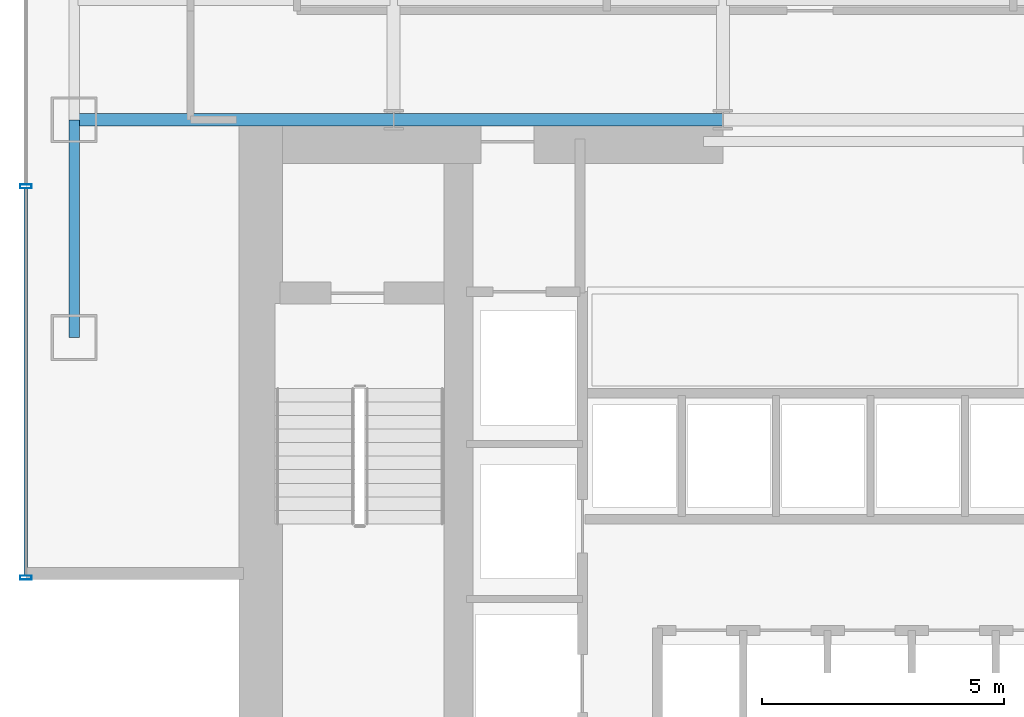
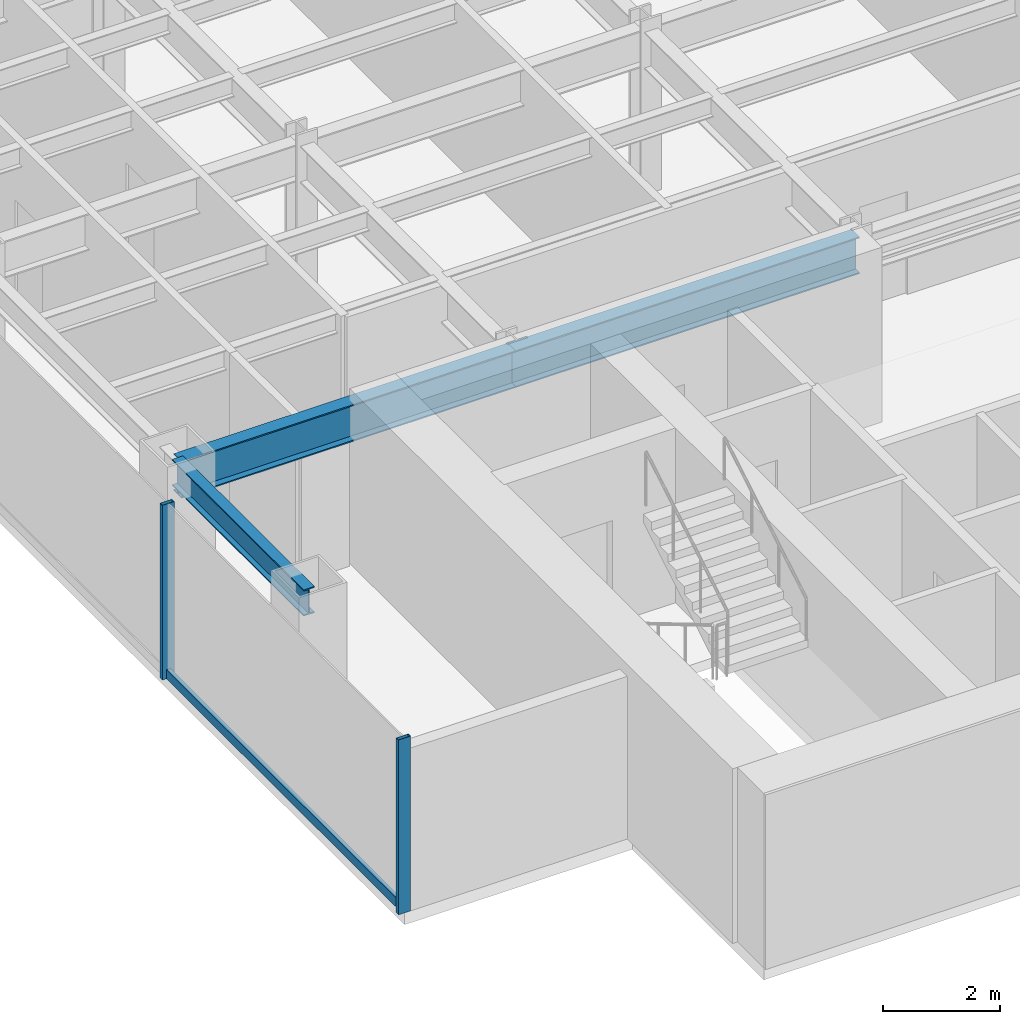
# One storey, part 2 of 23: 3 beams, 3 members, 1 element without a shape of its own.
"""IFC4 building model written with IfcOpenShell, lengths in metres."""

from ifc_helpers import new_model, si_unit, derived_unit, direction, frame, origin, origin_2d, place, context, subcontext, project, spatial, hollow_rectangle, i_section, extrude, source, transform, mapped, material, material_profile, profile_set, type_object, element, aggregate, save


model = new_model("IFC4")

# Units and contexts
model_context = context("Model", 3, precision=1e-05, world=origin(), true_north=direction((0.0, 1.0)))
body_context = subcontext(model_context, "Body", "Model", "MODEL_VIEW")
ifc_project = project(units=[si_unit("LENGTHUNIT", "METRE"), si_unit("AREAUNIT", "SQUARE_METRE"), si_unit("VOLUMEUNIT", "CUBIC_METRE"), si_unit("PLANEANGLEUNIT", "RADIAN"), si_unit("MASSUNIT", "GRAM", prefix="KILO"), derived_unit("THERMALTRANSMITTANCEUNIT", [(si_unit("POWERUNIT", "WATT"), 1), (si_unit("LENGTHUNIT", "METRE"), -2), (si_unit("THERMODYNAMICTEMPERATUREUNIT", "KELVIN"), -1)])], contexts=[model_context])

# Site, building, storey
site_placement = place(None, origin())
site = spatial("IfcSite", under=ifc_project, at=site_placement, CompositionType="ELEMENT")
building_placement = place(site_placement, origin())
building = spatial("IfcBuilding", under=site, at=building_placement, Name="Skarnbrae Concourse Arena and Tower", CompositionType="ELEMENT")
storey_placement = place(building_placement, frame((0.0, 0.0, 47.10009765625)))
storey = spatial("IfcBuildingStorey", under=building, at=storey_placement, Name="L10", CompositionType="ELEMENT", Elevation=47.10009765625)

# Beams
ifc_material_1 = material(Name="Steel CSA G40.21 350W", Category="steel")
ifc_material_profile_1 = material_profile(ifc_material_1, i_section(OverallWidth=0.26806640625, OverallDepth=0.77001953125, WebThickness=0.015625, FlangeThickness=0.025390625, at=origin_2d()), Name="W760X196")
ifc_profile_set_1 = profile_set([ifc_material_profile_1], Name="Steel CSA G40.21 350W")
beam_type_1 = type_object("IfcBeamType", Name="BM-GIRD-W760X196", PredefinedType="BEAM", material=ifc_profile_set_1)
shared_shape_1 = source(origin(), body_context, "Body", "SweptSolid", [
    extrude(i_section(OverallWidth=0.26806640625, OverallDepth=0.77001953125, WebThickness=0.015625, FlangeThickness=0.025390625, at=origin_2d()), origin(), (0.0, 0.0, 1.0), 6.60009765625),
])
beam_1_placement = place(storey_placement, frame((1.0, 14.0, 3.014892578125), z_axis=(1.0, 0.0, 0.0), x_axis=(0.0, 1.0, 0.0)))
element("IfcBeam", 1, at=beam_1_placement, inside=storey, type_object=beam_type_1, Name="L10 Primary E-W girder Y14.0-1", PredefinedType="BEAM", context=body_context, shape_type="MappedRepresentation", body=[
    mapped(shared_shape_1, transform((0.0, 0.0, 0.0))),
])
shared_shape_2 = source(origin(), body_context, "Body", "SweptSolid", [
    extrude(i_section(OverallWidth=0.26806640625, OverallDepth=0.77001953125, WebThickness=0.015625, FlangeThickness=0.025390625, at=origin_2d()), origin(), (0.0, 0.0, 1.0), 6.7998046875),
])
beam_2_placement = place(storey_placement, frame((7.60009765625, 14.0, 3.014892578125), z_axis=(1.0, 0.0, 0.0), x_axis=(0.0, 1.0, 0.0)))
element("IfcBeam", 2, at=beam_2_placement, inside=storey, type_object=beam_type_1, Name="L10 Primary E-W girder Y14.0-2", PredefinedType="BEAM", context=body_context, shape_type="MappedRepresentation", body=[
    mapped(shared_shape_2, transform((0.0, 0.0, 0.0))),
])
ifc_material_profile_2 = material_profile(ifc_material_1, i_section(OverallWidth=0.214111328125, OverallDepth=0.549072265625, WebThickness=0.0146484375, FlangeThickness=0.023681640625, at=origin_2d()), Name="W530X138")
ifc_profile_set_2 = profile_set([ifc_material_profile_2], Name="Steel CSA G40.21 350W")
beam_type_2 = type_object("IfcBeamType", Name="BM-SPAN-W530X138", PredefinedType="SPANDREL", material=ifc_profile_set_2)
shared_shape_3 = source(origin(), body_context, "Body", "SweptSolid", [
    extrude(i_section(OverallWidth=0.214111328125, OverallDepth=0.549072265625, WebThickness=0.0146484375, FlangeThickness=0.023681640625, at=origin_2d()), origin(), (0.0, 0.0, 1.0), 4.5),
])
beam_3_placement = place(storey_placement, frame((1.0, 9.5, 3.12548828125), z_axis=(0.0, 1.0, 0.0), x_axis=(-1.0, 0.0, 0.0)))
element("IfcBeam", 3, at=beam_3_placement, inside=storey, type_object=beam_type_2, Name="L10 Perimeter spandrel X1.0-1", PredefinedType="SPANDREL", context=body_context, shape_type="MappedRepresentation", body=[
    mapped(shared_shape_3, transform((0.0, 0.0, 0.0))),
])

# Curtain wall, members
ifc_material_2 = material(Name="Bronze anodised aluminium 6063-T6", Category="aluminium")
curtain_wall_type = type_object("IfcCurtainWallType", Name="CW-SYS-02-LOWZONE", PredefinedType="USERDEFINED", material=ifc_material_2)
curtain_wall_placement = place(storey_placement, origin())
curtain_wall = element("IfcCurtainWall", 4, at=curtain_wall_placement, inside=storey, type_object=curtain_wall_type, Name="L10 Unitised curtain wall CW-L10-E19", ObjectType="UNITISED CURTAIN WALL", PredefinedType="USERDEFINED")
ifc_material_profile_3 = material_profile(ifc_material_2, hollow_rectangle(XDim=0.080078125, YDim=0.239990234375, WallThickness=0.0048828125, at=origin_2d()), Name="ALU-MULL-80X240")
ifc_profile_set_3 = profile_set([ifc_material_profile_3], Name="Bronze anodised aluminium 6063-T6")
member_type_1 = type_object("IfcMemberType", Name="CWM-CW-02", PredefinedType="MULLION", material=ifc_profile_set_3)
shared_shape_4 = source(origin(), body_context, "Body", "SweptSolid", [
    extrude(hollow_rectangle(XDim=0.080078125, YDim=0.239990234375, WallThickness=0.0048828125, at=origin_2d()), origin(), (0.0, 0.0, 1.0), 3.64990234375),
])
member_1_placement = place(storey_placement, frame((0.0, 12.625, 0.0), z_axis=(0.0, 0.0, 1.0), x_axis=(0.0, -1.0, 0.0)))
member_1 = element("IfcMember", 5, at=member_1_placement, type_object=member_type_1, Name="CW-L10-E19 Mullion 4", PredefinedType="MULLION", context=body_context, shape_type="MappedRepresentation", body=[
    mapped(shared_shape_4, transform((0.0, 0.0, 0.0))),
])
member_2_placement = place(storey_placement, frame((0.0, 4.5400390625, 0.0), z_axis=(0.0, 0.0, 1.0), x_axis=(0.0, -1.0, 0.0)))
member_2 = element("IfcMember", 6, at=member_2_placement, type_object=member_type_1, Name="CW-L10-E19 Mullion 5", PredefinedType="MULLION", context=body_context, shape_type="MappedRepresentation", body=[
    mapped(shared_shape_4, transform((0.0, 0.0, 0.0))),
])
ifc_material_profile_4 = material_profile(ifc_material_2, hollow_rectangle(XDim=0.080078125, YDim=0.18994140625, WallThickness=0.0048828125, at=origin_2d()), Name="ALU-TRAN-80X190")
ifc_profile_set_4 = profile_set([ifc_material_profile_4], Name="Bronze anodised aluminium 6063-T6")
member_type_2 = type_object("IfcMemberType", Name="CWT-CW-02", PredefinedType="USERDEFINED", material=ifc_profile_set_4)
shared_shape_5 = source(origin(), body_context, "Body", "SweptSolid", [
    extrude(hollow_rectangle(XDim=0.080078125, YDim=0.18994140625, WallThickness=0.0048828125, at=origin_2d()), origin(), (0.0, 0.0, 1.0), 8.0048828125),
])
member_3_placement = place(storey_placement, frame((0.0, 12.5849609375, 0.094970703125), z_axis=(0.0, -1.0, 0.0), x_axis=(1.0, 0.0, 0.0)))
member_3 = element("IfcMember", 7, at=member_3_placement, type_object=member_type_2, Name="CW-L10-E19 Transom 4", ObjectType="TRANSOM", PredefinedType="USERDEFINED", context=body_context, shape_type="MappedRepresentation", body=[
    mapped(shared_shape_5, transform((0.0, 0.0, 0.0))),
])
aggregate(curtain_wall, [member_1, member_2, member_3])

save(model, "model.ifc")
